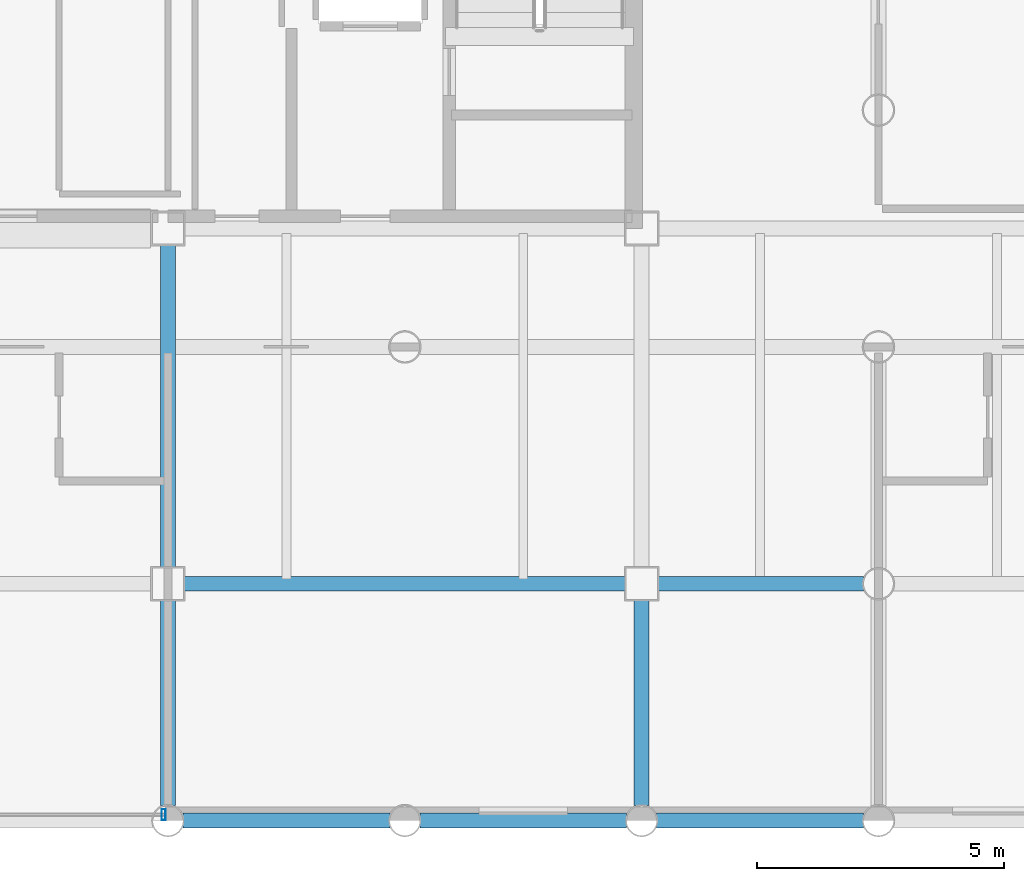
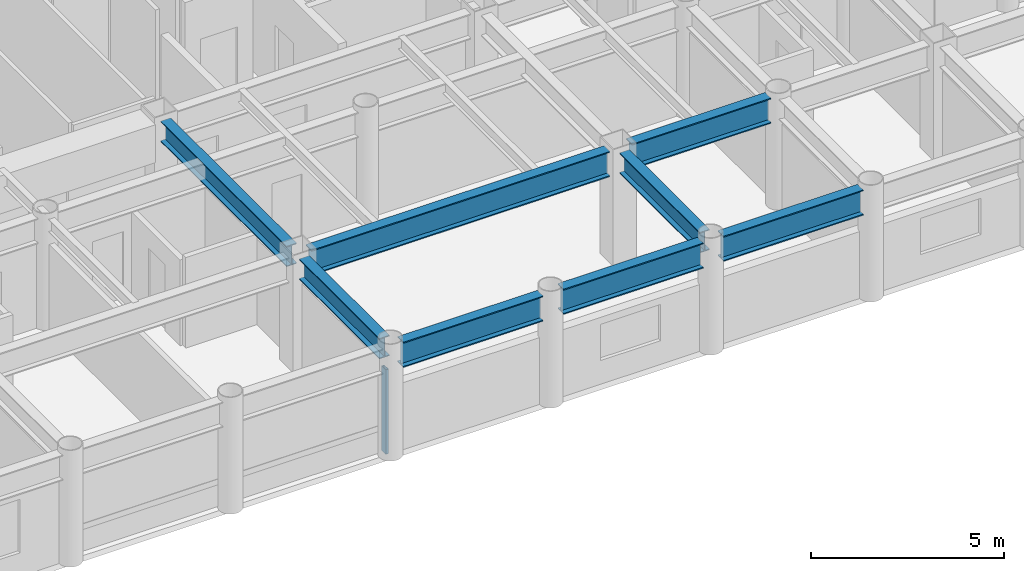
# One storey, part 6 of 22: 8 beams, 1 member, 1 element without a shape of its own.
"""IFC4 building model written with IfcOpenShell, lengths in metres."""

from ifc_helpers import new_model, si_unit, direction, frame, origin, origin_2d, place, context, subcontext, project, spatial, hollow_rectangle, i_section, extrude, material, layer, layer_set, material_profile, profile_set, type_object, element, aggregate, save


model = new_model("IFC4")

# Units and contexts
model_context = context("Model", 3, precision=1e-05, world=origin(), true_north=direction((0.0, 1.0)))
body_context = subcontext(model_context, "Body", "Model", "MODEL_VIEW")
ifc_project = project(units=[si_unit("LENGTHUNIT", "METRE"), si_unit("AREAUNIT", "SQUARE_METRE"), si_unit("VOLUMEUNIT", "CUBIC_METRE"), si_unit("PLANEANGLEUNIT", "RADIAN"), si_unit("MASSUNIT", "GRAM", prefix="KILO")], contexts=[model_context])

# Site, building, storey
site_placement = place(None, origin())
site = spatial("IfcSite", under=ifc_project, at=site_placement, CompositionType="ELEMENT")
building_placement = place(site_placement, origin())
building = spatial("IfcBuilding", under=site, at=building_placement, Name="Kallvorn Hotel Tower", CompositionType="ELEMENT")
storey_placement = place(building_placement, frame((0.0, 0.0, 106.300048828125)))
storey = spatial("IfcBuildingStorey", under=building, at=storey_placement, Name="L25", CompositionType="ELEMENT", Elevation=106.300048828125)

# Beams
ifc_material_1 = material(Name="Structural steel S355JR", Category="steel")
ifc_material_profile_1 = material_profile(ifc_material_1, i_section(OverallWidth=0.300048828125, OverallDepth=0.64990234375, WebThickness=0.01611328125, FlangeThickness=0.031005859375, at=origin_2d()), Name="HE 650 B")
ifc_profile_set_1 = profile_set([ifc_material_profile_1], Name="Structural steel S355JR")
beam_type_1 = type_object("IfcBeamType", Name="BM_HE650B", PredefinedType="BEAM", material=ifc_profile_set_1)
beam_1_placement = place(storey_placement, frame((4.800048828125, -18.89501953125, 3.195068359375), z_axis=(0.0, 1.0, 0.0), x_axis=(-1.0, 0.0, 0.0)))
element("IfcBeam", 1, at=beam_1_placement, inside=storey, type_object=beam_type_1, Name="L26 Primary Y-Girder 113", PredefinedType="BEAM", context=body_context, shape_type="SweptSolid", body=[
    extrude(i_section(OverallWidth=0.300048828125, OverallDepth=0.64990234375, WebThickness=0.01611328125, FlangeThickness=0.031005859375, at=origin_2d()), origin(), (0.0, 0.0, 1.0), 4.169921875),
])
beam_2_placement = place(storey_placement, frame((4.800048828125, -14.074951171875, 3.195068359375), z_axis=(0.0, 1.0, 0.0), x_axis=(-1.0, 0.0, 0.0)))
element("IfcBeam", 2, at=beam_2_placement, inside=storey, type_object=beam_type_1, Name="L26 Primary Y-Girder 114", PredefinedType="BEAM", context=body_context, shape_type="SweptSolid", body=[
    extrude(i_section(OverallWidth=0.300048828125, OverallDepth=0.64990234375, WebThickness=0.01611328125, FlangeThickness=0.031005859375, at=origin_2d()), origin(), (0.0, 0.0, 1.0), 6.550048828125),
])
beam_3_placement = place(storey_placement, frame((14.39990234375, -18.89501953125, 3.195068359375), z_axis=(0.0, 1.0, 0.0), x_axis=(-1.0, 0.0, 0.0)))
element("IfcBeam", 3, at=beam_3_placement, inside=storey, type_object=beam_type_1, Name="L26 Primary Y-Girder 121", PredefinedType="BEAM", context=body_context, shape_type="SweptSolid", body=[
    extrude(i_section(OverallWidth=0.300048828125, OverallDepth=0.64990234375, WebThickness=0.01611328125, FlangeThickness=0.031005859375, at=origin_2d()), origin(), (0.0, 0.0, 1.0), 4.169921875),
])
ifc_material_2 = material(Name="Structural steel S355JR", Category="steel")
ifc_material_profile_2 = material_profile(ifc_material_2, i_section(OverallWidth=0.300048828125, OverallDepth=0.800048828125, WebThickness=0.017578125, FlangeThickness=0.032958984375, at=origin_2d()), Name="HE 800 B")
ifc_profile_set_2 = profile_set([ifc_material_profile_2], Name="Structural steel S355JR")
beam_type_2 = type_object("IfcBeamType", Name="BM_HE800B", PredefinedType="BEAM", material=ifc_profile_set_2)
for number, where, z_axis, x_axis, name in (
    (4, (5.10498046875, -19.199951171875, 3.119873046875), (1.0, 0.0, 0.0), (0.0, 1.0, 0.0), "L26 Primary X-Girder 08"),
    (5, (9.905029296875, -19.199951171875, 3.119873046875), (1.0, 0.0, 0.0), (0.0, 1.0, 0.0), "L26 Primary X-Girder 09"),
    (6, (14.705078125, -19.199951171875, 3.119873046875), (1.0, 0.0, 0.0), (0.0, 1.0, 0.0), "L26 Primary X-Girder 10"),
):
    element("IfcBeam", number, at=place(storey_placement, frame(where, z_axis=z_axis, x_axis=x_axis)), inside=storey, type_object=beam_type_2, Name=name, PredefinedType="BEAM", context=body_context, shape_type="SweptSolid", body=[
        extrude(i_section(OverallWidth=0.300048828125, OverallDepth=0.800048828125, WebThickness=0.017578125, FlangeThickness=0.032958984375, at=origin_2d()), origin(), (0.0, 0.0, 1.0), 4.18994140625),
    ])
beam_4_placement = place(storey_placement, frame((5.125, -14.39990234375, 3.119873046875), z_axis=(1.0, 0.0, 0.0), x_axis=(0.0, 1.0, 0.0)))
element("IfcBeam", 7, at=beam_4_placement, inside=storey, type_object=beam_type_2, Name="L26 Primary X-Girder 18", PredefinedType="BEAM", context=body_context, shape_type="SweptSolid", body=[
    extrude(i_section(OverallWidth=0.300048828125, OverallDepth=0.800048828125, WebThickness=0.017578125, FlangeThickness=0.032958984375, at=origin_2d()), origin(), (0.0, 0.0, 1.0), 8.949951171875),
])
beam_5_placement = place(storey_placement, frame((14.72509765625, -14.39990234375, 3.119873046875), z_axis=(1.0, 0.0, 0.0), x_axis=(0.0, 1.0, 0.0)))
element("IfcBeam", 8, at=beam_5_placement, inside=storey, type_object=beam_type_2, Name="L26 Primary X-Girder 19", PredefinedType="BEAM", context=body_context, shape_type="SweptSolid", body=[
    extrude(i_section(OverallWidth=0.300048828125, OverallDepth=0.800048828125, WebThickness=0.017578125, FlangeThickness=0.032958984375, at=origin_2d()), origin(), (0.0, 0.0, 1.0), 4.169921875),
])

# Curtain wall, member
ifc_material_3 = material(Name="Thermally broken black-anodised aluminium AA 6063-T6", Category="aluminium")
ifc_layer = layer(ifc_material_3, 0.199951171875)
ifc_layer_set = layer_set([ifc_layer], Name="CW_SYS_3_HOTEL_LOW")
curtain_wall_type = type_object("IfcCurtainWallType", Name="CW_SYS_3_HOTEL_LOW", PredefinedType="USERDEFINED", material=ifc_layer_set)
curtain_wall_placement = place(storey_placement, origin())
curtain_wall = element("IfcCurtainWall", 9, at=curtain_wall_placement, inside=storey, type_object=curtain_wall_type, Name="L25 Dark-Glass Curtain Wall CW-L25-SC", ObjectType="UNITISED CURTAIN WALL", PredefinedType="USERDEFINED")
ifc_material_4 = material(Name="Thermally broken black-anodised aluminium AA 6063-T6", Category="aluminium")
ifc_material_profile_3 = material_profile(ifc_material_4, hollow_rectangle(XDim=0.080078125, YDim=0.219970703125, WallThickness=0.0048828125, at=origin_2d()), Name="MUL 220x80")
ifc_profile_set_3 = profile_set([ifc_material_profile_3], Name="Thermally broken black-anodised aluminium AA 6063-T6")
member_type = type_object("IfcMemberType", Name="CW_MULLION_220x80", PredefinedType="MULLION", material=ifc_profile_set_3)
member_placement = place(storey_placement, frame((4.7099609375, -19.080078125, 0.02001953125), z_axis=(0.0, 0.0, 1.0), x_axis=(1.0, 0.0, 0.0)))
member = element("IfcMember", 10, at=member_placement, type_object=member_type, Name="CW-L25-SC Mullion 02", PredefinedType="MULLION", context=body_context, shape_type="SweptSolid", body=[
    extrude(hollow_rectangle(XDim=0.080078125, YDim=0.219970703125, WallThickness=0.0048828125, at=origin_2d()), origin(), (0.0, 0.0, 1.0), 2.679931640625),
])
aggregate(curtain_wall, [member])

save(model, "model.ifc")
